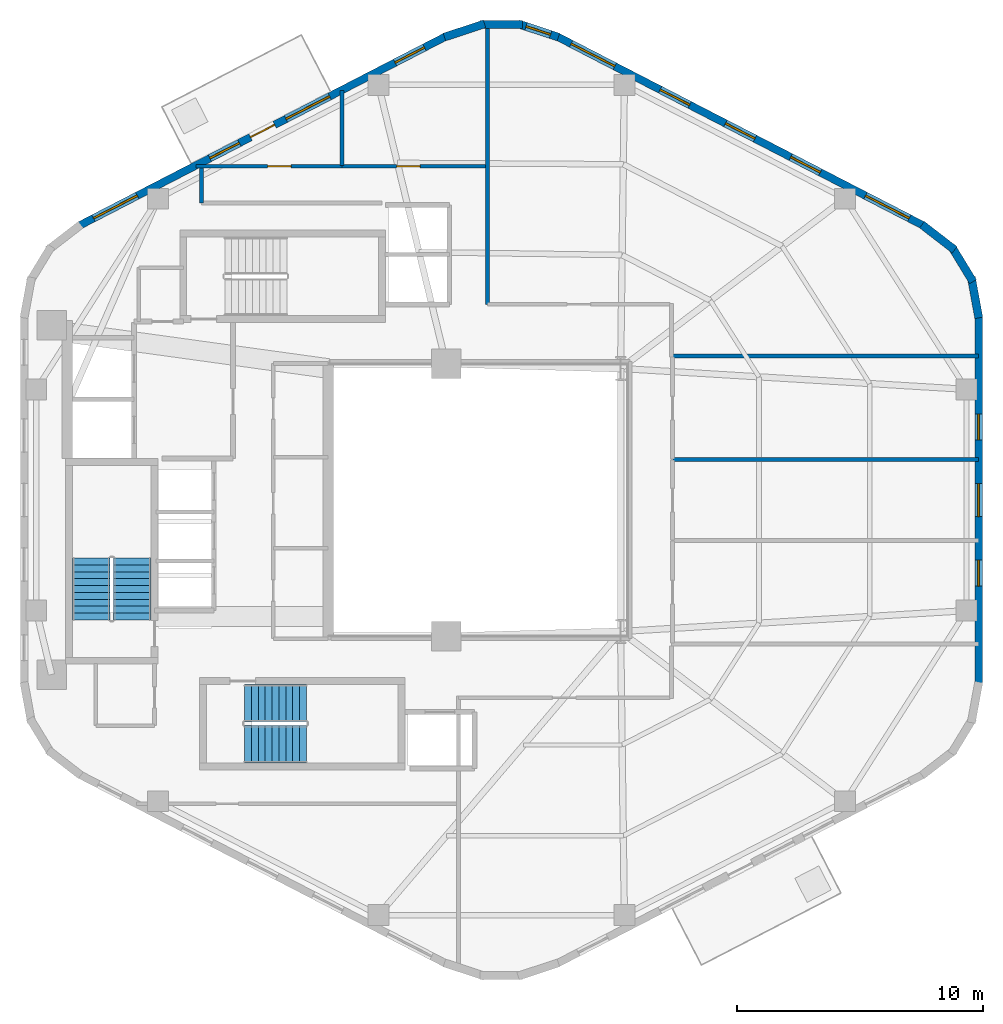
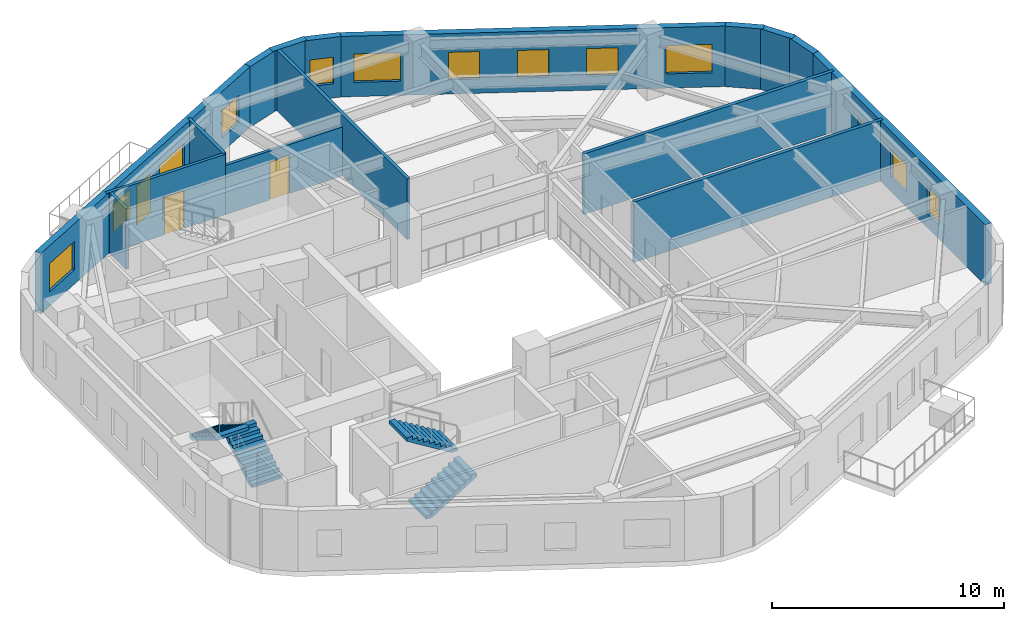
# One storey, part 5 of 8: 16 walls, 13 windows, 4 stair flights, 3 doors, 16 openings, 2 elements without a shape of their own.
"""IFC4 building model written with IfcOpenShell, lengths in metres."""

from ifc_helpers import new_model, si_unit, direction, frame, frame_2d, origin, place, context, subcontext, project, spatial, polyline, rectangle, outline, extrude, material, layer, layer_set, type_object, element, fill, aggregate, save


model = new_model("IFC4")

# Units and contexts
model_context = context("Model", 3, precision=1e-05, world=origin(), true_north=direction((0.0, 1.0)))
body_context = subcontext(model_context, "Body", "Model", "MODEL_VIEW")
ifc_project = project(units=[si_unit("LENGTHUNIT", "METRE"), si_unit("AREAUNIT", "SQUARE_METRE"), si_unit("VOLUMEUNIT", "CUBIC_METRE"), si_unit("PLANEANGLEUNIT", "RADIAN"), si_unit("MASSUNIT", "GRAM", prefix="KILO"), si_unit("THERMODYNAMICTEMPERATUREUNIT", "KELVIN"), si_unit("POWERUNIT", "WATT")], contexts=[model_context])

# Site, building, storey
site_placement = place(None, origin())
site = spatial("IfcSite", under=ifc_project, at=site_placement, CompositionType="ELEMENT")
building_placement = place(site_placement, origin())
building = spatial("IfcBuilding", under=site, at=building_placement, Name="Skarre Station Tower", CompositionType="ELEMENT")
storey_placement = place(building_placement, frame((0.0, 0.0, 203.35009765625)))
storey = spatial("IfcBuildingStorey", under=building, at=storey_placement, Name="L55", CompositionType="ELEMENT", Elevation=203.35009765625)

# Wall, opening, door
ifc_material_1 = material(Name="Acoustic Steel-Stud Gypsum Partition", Category="steel")
ifc_layer_1 = layer(ifc_material_1, 0.14990234375, Name="Acoustic Steel-Stud Gypsum Partition")
ifc_layer_set_1 = layer_set([ifc_layer_1], Name="Acoustic Steel-Stud Gypsum Partition")
wall_type_1 = type_object("IfcWallType", Name="Fire-Rated Corridor Acoustic Partition 150", PredefinedType="PARTITIONING", material=ifc_layer_set_1)
wall_1_placement = place(storey_placement, frame((28.115966796875, 37.580078125, 0.0), z_axis=(0.0, 0.0, 1.0), x_axis=(-1.0, 0.0, 0.0)))
wall_1 = element("IfcWall", 1, at=wall_1_placement, inside=storey, type_object=wall_type_1, Name="L55 Interior Partition WL-PT-L55-NWW1-CW", PredefinedType="PARTITIONING", context=body_context, shape_type="SweptSolid", body=[
    extrude(rectangle(XDim=5.94091796875, YDim=0.14990234375, at=frame_2d((2.970458984375, 0.0))), origin(), (0.0, 0.0, 1.0), 3.18994140625),
])
opening_1_placement = place(wall_1_placement, frame((2.070068359375, 0.0, 0.0)))
opening_1 = element("IfcOpeningElement", 2, at=opening_1_placement, cuts=wall_1, Name="Opening DR-FD60", PredefinedType="OPENING", context=body_context, shape_type="SweptSolid", body=[
    extrude(rectangle(XDim=0.9599609375, YDim=2.0, at=frame_2d((0.47998046875, 1.0))), frame((0.0, 0.0849609375, 0.0), z_axis=(0.0, -1.0, 0.0), x_axis=(1.0, 0.0, 0.0)), (0.0, 0.0, 1.0), 0.169921875),
])
ifc_material_2 = material(Name="Nordic White-Oak Veneer Solid-Core Fire Leaf", Category="wood")
door_type_1 = type_object("IfcDoorType", Name="Corridor Suite Entry Fire Door FD60 960x2150", OperationType="SINGLE_SWING_LEFT", PredefinedType="DOOR", material=ifc_material_2)
door_1_placement = place(opening_1_placement, origin())
door_1 = element("IfcDoor", 3, at=door_1_placement, inside=storey, type_object=door_type_1, Name="L55 NWW1 Entry Door", OperationType="SINGLE_SWING_LEFT", OverallHeight=2.0, OverallWidth=0.9599609375, PredefinedType="DOOR", context=body_context, shape_type="SweptSolid", body=[
    extrude(rectangle(XDim=0.9599609375, YDim=2.0, at=frame_2d((0.47998046875, 1.0))), frame((0.0, 0.02490234375, 0.0), z_axis=(0.0, -1.0, 0.0), x_axis=(1.0, 0.0, 0.0)), (0.0, 0.0, 1.0), 0.050048828125),
])
fill(opening_1, door_1)

wall_2_placement = place(storey_placement, frame((33.9619140625, 37.580078125, 0.0), z_axis=(0.0, 0.0, 1.0), x_axis=(-1.0, 0.0, 0.0)))
wall_2 = element("IfcWall", 4, at=wall_2_placement, inside=storey, type_object=wall_type_1, Name="L55 Interior Partition WL-PT-L55-NWW2-CW", PredefinedType="PARTITIONING", context=body_context, shape_type="SweptSolid", body=[
    extrude(rectangle(XDim=5.8359375, YDim=0.14990234375, at=frame_2d((2.91796875, 0.0))), origin(), (0.0, 0.0, 1.0), 2.581787109375),
])
opening_2_placement = place(wall_2_placement, frame((2.6630859375, 0.0, 0.0)))
opening_2 = element("IfcOpeningElement", 5, at=opening_2_placement, cuts=wall_2, Name="Opening DR-FD60", PredefinedType="OPENING", context=body_context, shape_type="SweptSolid", body=[
    extrude(rectangle(XDim=0.9599609375, YDim=2.0, at=frame_2d((0.47998046875, 1.0))), frame((0.0, 0.0849609375, 0.0), z_axis=(0.0, -1.0, 0.0), x_axis=(1.0, 0.0, 0.0)), (0.0, 0.0, 1.0), 0.169921875),
])
door_2_placement = place(opening_2_placement, origin())
door_2 = element("IfcDoor", 6, at=door_2_placement, inside=storey, type_object=door_type_1, Name="L55 NWW2 Entry Door", OperationType="SINGLE_SWING_LEFT", OverallHeight=2.0, OverallWidth=0.9599609375, PredefinedType="DOOR", context=body_context, shape_type="SweptSolid", body=[
    extrude(rectangle(XDim=0.9599609375, YDim=2.0, at=frame_2d((0.47998046875, 1.0))), frame((0.0, 0.02490234375, 0.0), z_axis=(0.0, -1.0, 0.0), x_axis=(1.0, 0.0, 0.0)), (0.0, 0.0, 1.0), 0.050048828125),
])
fill(opening_2, door_2)

# Walls
wall_3_placement = place(storey_placement, frame((22.39990234375, 36.080078125, 0.0), z_axis=(0.0, 0.0, 1.0), x_axis=(0.0, 1.0, 0.0)))
element("IfcWall", 7, at=wall_3_placement, inside=storey, type_object=wall_type_1, Name="L55 Interior Partition WL-PT-L55-CSEAL-2", PredefinedType="PARTITIONING", context=body_context, shape_type="SweptSolid", body=[
    extrude(rectangle(XDim=1.429931640625, YDim=0.14990234375, at=frame_2d((0.71484375, 0.0))), origin(), (0.0, 0.0, 1.0), 3.18994140625),
])
ifc_material_3 = material(Name="Precast concrete C45/55", Category="concrete")
ifc_layer_2 = layer(ifc_material_3, 0.330078125, Name="Precast concrete C45/55")
ifc_layer_set_2 = layer_set([ifc_layer_2], Name="Precast concrete C45/55")
wall_type_2 = type_object("IfcWallType", Name="Nordic Rounded Corner Precast Wall 330", PredefinedType="STANDARD", material=ifc_layer_set_2)
wall_4_placement = place(storey_placement, frame((51.7109375, 35.199951171875, 0.0), z_axis=(0.0, 0.0, 1.0), x_axis=(0.791464279355, -0.611215423976, 0.0)))
element("IfcWall", 8, at=wall_4_placement, inside=storey, type_object=wall_type_2, Name="L55 Rounded Corner Precast Wall F0-1", PredefinedType="STANDARD", context=body_context, shape_type="SweptSolid", body=[
    extrude(rectangle(XDim=1.6767578125, YDim=0.330078125, at=frame_2d((0.83837890625, 0.0))), origin(), (0.0, 0.0, 1.0), 3.18994140625),
])
wall_5_placement = place(storey_placement, frame((52.912109375, 34.31494140625, 0.0), z_axis=(0.0, 0.0, 1.0), x_axis=(0.520219286058, -0.85403272444, 0.0)))
element("IfcWall", 9, at=wall_5_placement, inside=storey, type_object=wall_type_2, Name="L55 Rounded Corner Precast Wall F0-2", PredefinedType="STANDARD", context=body_context, shape_type="SweptSolid", body=[
    extrude(rectangle(XDim=1.677734375, YDim=0.330078125, at=frame_2d((0.8388671875, 0.0))), origin(), (0.0, 0.0, 1.0), 3.18994140625),
])
wall_6_placement = place(storey_placement, frame((53.718017578125, 33.056884765625, 0.0), z_axis=(0.0, 0.0, 1.0), x_axis=(0.180717642671, -0.983535019014, 0.0)))
element("IfcWall", 10, at=wall_6_placement, inside=storey, type_object=wall_type_2, Name="L55 Rounded Corner Precast Wall F0-3", PredefinedType="STANDARD", context=body_context, shape_type="SweptSolid", body=[
    extrude(rectangle(XDim=1.676513671875, YDim=0.330078125, at=frame_2d((0.83837890625, 0.0))), origin(), (0.0, 0.0, 1.0), 3.18994140625),
])
wall_7_placement = place(storey_placement, frame((32.281005859375, 42.83203125, 0.0), z_axis=(0.0, 0.0, 1.0), x_axis=(0.949937416267, 0.312440242569, 0.0)))
element("IfcWall", 11, at=wall_7_placement, inside=storey, type_object=wall_type_2, Name="L55 Rounded Corner Precast Wall F1-1", PredefinedType="STANDARD", context=body_context, shape_type="SweptSolid", body=[
    extrude(rectangle(XDim=1.72216796875, YDim=0.330078125, at=frame_2d((0.861083984375, 0.0))), origin(), (0.0, 0.0, 1.0), 3.18994140625),
])
wall_8_placement = place(storey_placement, frame((33.739013671875, 43.341064453125, 0.0), z_axis=(0.0, 0.0, 1.0), x_axis=(1.0, 0.0, 0.0)))
element("IfcWall", 12, at=wall_8_placement, inside=storey, type_object=wall_type_2, Name="L55 Rounded Corner Precast Wall F1-2", PredefinedType="STANDARD", context=body_context, shape_type="SweptSolid", body=[
    extrude(rectangle(XDim=1.721923828125, YDim=0.330078125, at=frame_2d((0.86083984375, 0.0))), origin(), (0.0, 0.0, 1.0), 3.18994140625),
])

# Wall, opening, window
wall_9_placement = place(storey_placement, frame((35.282958984375, 43.3701171875, 0.0), z_axis=(0.0, 0.0, 1.0), x_axis=(0.949937416267, -0.312440242569, 0.0)))
wall_9 = element("IfcWall", 13, at=wall_9_placement, inside=storey, type_object=wall_type_2, Name="L55 Rounded Corner Precast Wall F1-3", PredefinedType="STANDARD", context=body_context, shape_type="SweptSolid", body=[
    extrude(rectangle(XDim=1.72216796875, YDim=0.330078125, at=frame_2d((0.861083984375, 0.0))), origin(), (0.0, 0.0, 1.0), 3.18994140625),
])
opening_3_placement = place(wall_9_placement, frame((0.3359375, 0.0, 0.75)))
opening_3 = element("IfcOpeningElement", 14, at=opening_3_placement, cuts=wall_9, Name="Opening WN-SLT", PredefinedType="OPENING", context=body_context, shape_type="SweptSolid", body=[
    extrude(rectangle(XDim=1.050048828125, YDim=1.39990234375, at=frame_2d((0.52490234375, 0.699951171875))), frame((0.0, 0.175048828125, 0.0), z_axis=(0.0, -1.0, 0.0), x_axis=(1.0, 0.0, 0.0)), (0.0, 0.0, 1.0), 0.35009765625),
])
ifc_material_4 = material(Name="Low-Iron Triple Glazing with Bronze Anodized Frame", Category="glass")
window_type_1 = type_object("IfcWindowType", Name="Nordic Corner Slot Window 1050x1400", PartitioningType="SINGLE_PANEL", PredefinedType="WINDOW", material=ifc_material_4)
window_1_placement = place(opening_3_placement, origin())
window_1 = element("IfcWindow", 15, at=window_1_placement, inside=storey, type_object=window_type_1, Name="L55 Apex Corner Slot Window F1-3", OverallHeight=1.39990234375, OverallWidth=1.050048828125, PartitioningType="SINGLE_PANEL", PredefinedType="WINDOW", context=body_context, shape_type="SweptSolid", body=[
    extrude(rectangle(XDim=1.050048828125, YDim=1.39990234375, at=frame_2d((0.52490234375, 0.699951171875))), frame((0.0, 0.030029296875, 0.0), z_axis=(0.0, -1.0, 0.0), x_axis=(1.0, 0.0, 0.0)), (0.0, 0.0, 1.0), 0.06005859375),
])
fill(opening_3, window_1)

# Wall, openings, windows
ifc_layer_3 = layer(ifc_material_3, 0.31005859375, Name="Precast concrete C45/55")
ifc_layer_set_3 = layer_set([ifc_layer_3], Name="Precast concrete C45/55")
wall_type_3 = type_object("IfcWallType", Name="Nordic Upper-Zone Precast Facet Wall 310", PredefinedType="STANDARD", material=ifc_layer_set_3)
wall_10_placement = place(storey_placement, frame((36.837890625, 42.87109375, 0.0), z_axis=(0.0, 0.0, 1.0), x_axis=(0.888626188278, -0.458632202867, 0.0)))
wall_10 = element("IfcWall", 16, at=wall_10_placement, inside=storey, type_object=wall_type_3, Name="L55 Facet 0 Nordic Precast Masonry Wall", PredefinedType="STANDARD", context=body_context, shape_type="SweptSolid", body=[
    extrude(rectangle(XDim=16.828369140625, YDim=0.31005859375, at=frame_2d((8.4140625, 0.0))), origin(), (0.0, 0.0, 1.0), 3.18994140625),
])
opening_4_placement = place(wall_10_placement, frame((0.675048828125, 0.0, 0.75)))
opening_4 = element("IfcOpeningElement", 17, at=opening_4_placement, cuts=wall_10, Name="Opening WN-Z3A", PredefinedType="OPENING", context=body_context, shape_type="SweptSolid", body=[
    extrude(rectangle(XDim=2.0, YDim=1.5, at=frame_2d((1.0, 0.75))), frame((0.0, 0.1650390625, 0.0), z_axis=(0.0, -1.0, 0.0), x_axis=(1.0, 0.0, 0.0)), (0.0, 0.0, 1.0), 0.330078125),
])
opening_5_placement = place(wall_10_placement, frame((4.75, 0.0, 0.75)))
opening_5 = element("IfcOpeningElement", 18, at=opening_5_placement, cuts=wall_10, Name="Opening WN-Z3B", PredefinedType="OPENING", context=body_context, shape_type="SweptSolid", body=[
    extrude(rectangle(XDim=1.35009765625, YDim=1.449951171875, at=frame_2d((0.675048828125, 0.72509765625))), frame((0.0, 0.1650390625, 0.0), z_axis=(0.0, -1.0, 0.0), x_axis=(1.0, 0.0, 0.0)), (0.0, 0.0, 1.0), 0.330078125),
])
opening_6_placement = place(wall_10_placement, frame((7.739013671875, 0.0, 0.75)))
opening_6 = element("IfcOpeningElement", 19, at=opening_6_placement, cuts=wall_10, Name="Opening WN-Z3B", PredefinedType="OPENING", context=body_context, shape_type="SweptSolid", body=[
    extrude(rectangle(XDim=1.35009765625, YDim=1.449951171875, at=frame_2d((0.675048828125, 0.72509765625))), frame((0.0, 0.1650390625, 0.0), z_axis=(0.0, -1.0, 0.0), x_axis=(1.0, 0.0, 0.0)), (0.0, 0.0, 1.0), 0.330078125),
])
opening_7_placement = place(wall_10_placement, frame((10.72802734375, 0.0, 0.75)))
opening_7 = element("IfcOpeningElement", 20, at=opening_7_placement, cuts=wall_10, Name="Opening WN-Z3B", PredefinedType="OPENING", context=body_context, shape_type="SweptSolid", body=[
    extrude(rectangle(XDim=1.35009765625, YDim=1.449951171875, at=frame_2d((0.675048828125, 0.72509765625))), frame((0.0, 0.1650390625, 0.0), z_axis=(0.0, -1.0, 0.0), x_axis=(1.0, 0.0, 0.0)), (0.0, 0.0, 1.0), 0.330078125),
])
opening_8_placement = place(wall_10_placement, frame((14.153076171875, 0.0, 0.75)))
opening_8 = element("IfcOpeningElement", 21, at=opening_8_placement, cuts=wall_10, Name="Opening WN-Z3A", PredefinedType="OPENING", context=body_context, shape_type="SweptSolid", body=[
    extrude(rectangle(XDim=2.0, YDim=1.5, at=frame_2d((1.0, 0.75))), frame((0.0, 0.1650390625, 0.0), z_axis=(0.0, -1.0, 0.0), x_axis=(1.0, 0.0, 0.0)), (0.0, 0.0, 1.0), 0.330078125),
])
window_type_2 = type_object("IfcWindowType", Name="Nordic Hospitality Narrow Window 1350x1450", PartitioningType="SINGLE_PANEL", PredefinedType="WINDOW", material=ifc_material_4)
window_2_placement = place(opening_5_placement, origin())
window_2 = element("IfcWindow", 22, at=window_2_placement, inside=storey, type_object=window_type_2, Name="L55 Facade Window WL-FAC-L55-F0-2", OverallHeight=1.449951171875, OverallWidth=1.35009765625, PartitioningType="SINGLE_PANEL", PredefinedType="WINDOW", context=body_context, shape_type="SweptSolid", body=[
    extrude(rectangle(XDim=1.35009765625, YDim=1.449951171875, at=frame_2d((0.675048828125, 0.72509765625))), frame((0.0, 0.030029296875, 0.0), z_axis=(0.0, -1.0, 0.0), x_axis=(1.0, 0.0, 0.0)), (0.0, 0.0, 1.0), 0.06005859375),
])
fill(opening_5, window_2)
window_3_placement = place(opening_6_placement, origin())
window_3 = element("IfcWindow", 23, at=window_3_placement, inside=storey, type_object=window_type_2, Name="L55 Facade Window WL-FAC-L55-F0-3", OverallHeight=1.449951171875, OverallWidth=1.35009765625, PartitioningType="SINGLE_PANEL", PredefinedType="WINDOW", context=body_context, shape_type="SweptSolid", body=[
    extrude(rectangle(XDim=1.35009765625, YDim=1.449951171875, at=frame_2d((0.675048828125, 0.72509765625))), frame((0.0, 0.030029296875, 0.0), z_axis=(0.0, -1.0, 0.0), x_axis=(1.0, 0.0, 0.0)), (0.0, 0.0, 1.0), 0.06005859375),
])
fill(opening_6, window_3)
window_4_placement = place(opening_7_placement, origin())
window_4 = element("IfcWindow", 24, at=window_4_placement, inside=storey, type_object=window_type_2, Name="L55 Facade Window WL-FAC-L55-F0-4", OverallHeight=1.449951171875, OverallWidth=1.35009765625, PartitioningType="SINGLE_PANEL", PredefinedType="WINDOW", context=body_context, shape_type="SweptSolid", body=[
    extrude(rectangle(XDim=1.35009765625, YDim=1.449951171875, at=frame_2d((0.675048828125, 0.72509765625))), frame((0.0, 0.030029296875, 0.0), z_axis=(0.0, -1.0, 0.0), x_axis=(1.0, 0.0, 0.0)), (0.0, 0.0, 1.0), 0.06005859375),
])
fill(opening_7, window_4)
window_type_3 = type_object("IfcWindowType", Name="Nordic Hospitality Window 2000x1500", PartitioningType="SINGLE_PANEL", PredefinedType="WINDOW", material=ifc_material_4)
window_5_placement = place(opening_4_placement, origin())
window_5 = element("IfcWindow", 25, at=window_5_placement, inside=storey, type_object=window_type_3, Name="L55 Facade Window WL-FAC-L55-F0-1", OverallHeight=1.5, OverallWidth=2.0, PartitioningType="SINGLE_PANEL", PredefinedType="WINDOW", context=body_context, shape_type="SweptSolid", body=[
    extrude(rectangle(XDim=2.0, YDim=1.5, at=frame_2d((1.0, 0.75))), frame((0.0, 0.030029296875, 0.0), z_axis=(0.0, -1.0, 0.0), x_axis=(1.0, 0.0, 0.0)), (0.0, 0.0, 1.0), 0.06005859375),
])
fill(opening_4, window_5)
window_6_placement = place(opening_8_placement, origin())
window_6 = element("IfcWindow", 26, at=window_6_placement, inside=storey, type_object=window_type_3, Name="L55 Facade Window WL-FAC-L55-F0-5", OverallHeight=1.5, OverallWidth=2.0, PartitioningType="SINGLE_PANEL", PredefinedType="WINDOW", context=body_context, shape_type="SweptSolid", body=[
    extrude(rectangle(XDim=2.0, YDim=1.5, at=frame_2d((1.0, 0.75))), frame((0.0, 0.030029296875, 0.0), z_axis=(0.0, -1.0, 0.0), x_axis=(1.0, 0.0, 0.0)), (0.0, 0.0, 1.0), 0.06005859375),
])
fill(opening_8, window_6)

# Wall, openings, windows, door
wall_11_placement = place(storey_placement, frame((17.407958984375, 35.153076171875, 0.0), z_axis=(0.0, 0.0, 1.0), x_axis=(0.888626188278, 0.458632202867, 0.0)))
wall_11 = element("IfcWall", 27, at=wall_11_placement, inside=storey, type_object=wall_type_3, Name="L55 Facet 1 Nordic Precast Masonry Wall", PredefinedType="STANDARD", context=body_context, shape_type="SweptSolid", body=[
    extrude(rectangle(XDim=16.828369140625, YDim=0.31005859375, at=frame_2d((8.4140625, 0.0))), origin(), (0.0, 0.0, 1.0), 3.18994140625),
])
opening_9_placement = place(wall_11_placement, frame((7.864013671875, 0.0, 0.0)))
opening_9 = element("IfcOpeningElement", 28, at=opening_9_placement, cuts=wall_11, Name="Opening DR-BAL110", PredefinedType="OPENING", context=body_context, shape_type="SweptSolid", body=[
    extrude(rectangle(XDim=1.10009765625, YDim=2.0400390625, at=frame_2d((0.550048828125, 1.02001953125))), frame((0.0, 0.1650390625, 0.0), z_axis=(0.0, -1.0, 0.0), x_axis=(1.0, 0.0, 0.0)), (0.0, 0.0, 1.0), 0.330078125),
])
opening_10_placement = place(wall_11_placement, frame((0.675048828125, 0.0, 0.75)))
opening_10 = element("IfcOpeningElement", 29, at=opening_10_placement, cuts=wall_11, Name="Opening WN-Z3A", PredefinedType="OPENING", context=body_context, shape_type="SweptSolid", body=[
    extrude(rectangle(XDim=2.0, YDim=1.5, at=frame_2d((1.0, 0.75))), frame((0.0, 0.1650390625, 0.0), z_axis=(0.0, -1.0, 0.0), x_axis=(1.0, 0.0, 0.0)), (0.0, 0.0, 1.0), 0.330078125),
])
opening_11_placement = place(wall_11_placement, frame((6.0, 0.0, 0.75)))
opening_11 = element("IfcOpeningElement", 30, at=opening_11_placement, cuts=wall_11, Name="Opening WN-Z3B", PredefinedType="OPENING", context=body_context, shape_type="SweptSolid", body=[
    extrude(rectangle(XDim=1.35009765625, YDim=1.449951171875, at=frame_2d((0.675048828125, 0.72509765625))), frame((0.0, 0.1650390625, 0.0), z_axis=(0.0, -1.0, 0.0), x_axis=(1.0, 0.0, 0.0)), (0.0, 0.0, 1.0), 0.330078125),
])
opening_12_placement = place(wall_11_placement, frame((9.485107421875, 0.0, 0.75)))
opening_12 = element("IfcOpeningElement", 31, at=opening_12_placement, cuts=wall_11, Name="Opening WN-Z3A", PredefinedType="OPENING", context=body_context, shape_type="SweptSolid", body=[
    extrude(rectangle(XDim=2.0, YDim=1.5, at=frame_2d((1.0, 0.75))), frame((0.0, 0.1650390625, 0.0), z_axis=(0.0, -1.0, 0.0), x_axis=(1.0, 0.0, 0.0)), (0.0, 0.0, 1.0), 0.330078125),
])
opening_13_placement = place(wall_11_placement, frame((14.47802734375, 0.0, 0.75)))
opening_13 = element("IfcOpeningElement", 32, at=opening_13_placement, cuts=wall_11, Name="Opening WN-Z3B", PredefinedType="OPENING", context=body_context, shape_type="SweptSolid", body=[
    extrude(rectangle(XDim=1.35009765625, YDim=1.449951171875, at=frame_2d((0.675048828125, 0.72509765625))), frame((0.0, 0.1650390625, 0.0), z_axis=(0.0, -1.0, 0.0), x_axis=(1.0, 0.0, 0.0)), (0.0, 0.0, 1.0), 0.330078125),
])
window_7_placement = place(opening_11_placement, origin())
window_7 = element("IfcWindow", 33, at=window_7_placement, inside=storey, type_object=window_type_2, Name="L55 Facade Window WL-FAC-L55-F1-2", OverallHeight=1.449951171875, OverallWidth=1.35009765625, PartitioningType="SINGLE_PANEL", PredefinedType="WINDOW", context=body_context, shape_type="SweptSolid", body=[
    extrude(rectangle(XDim=1.35009765625, YDim=1.449951171875, at=frame_2d((0.675048828125, 0.72509765625))), frame((0.0, 0.030029296875, 0.0), z_axis=(0.0, -1.0, 0.0), x_axis=(1.0, 0.0, 0.0)), (0.0, 0.0, 1.0), 0.06005859375),
])
fill(opening_11, window_7)
window_8_placement = place(opening_13_placement, origin())
window_8 = element("IfcWindow", 34, at=window_8_placement, inside=storey, type_object=window_type_2, Name="L55 Facade Window WL-FAC-L55-F1-4", OverallHeight=1.449951171875, OverallWidth=1.35009765625, PartitioningType="SINGLE_PANEL", PredefinedType="WINDOW", context=body_context, shape_type="SweptSolid", body=[
    extrude(rectangle(XDim=1.35009765625, YDim=1.449951171875, at=frame_2d((0.675048828125, 0.72509765625))), frame((0.0, 0.030029296875, 0.0), z_axis=(0.0, -1.0, 0.0), x_axis=(1.0, 0.0, 0.0)), (0.0, 0.0, 1.0), 0.06005859375),
])
fill(opening_13, window_8)
window_9_placement = place(opening_10_placement, origin())
window_9 = element("IfcWindow", 35, at=window_9_placement, inside=storey, type_object=window_type_3, Name="L55 Facade Window WL-FAC-L55-F1-1", OverallHeight=1.5, OverallWidth=2.0, PartitioningType="SINGLE_PANEL", PredefinedType="WINDOW", context=body_context, shape_type="SweptSolid", body=[
    extrude(rectangle(XDim=2.0, YDim=1.5, at=frame_2d((1.0, 0.75))), frame((0.0, 0.030029296875, 0.0), z_axis=(0.0, -1.0, 0.0), x_axis=(1.0, 0.0, 0.0)), (0.0, 0.0, 1.0), 0.06005859375),
])
fill(opening_10, window_9)
window_10_placement = place(opening_12_placement, origin())
window_10 = element("IfcWindow", 36, at=window_10_placement, inside=storey, type_object=window_type_3, Name="L55 Facade Window WL-FAC-L55-F1-3", OverallHeight=1.5, OverallWidth=2.0, PartitioningType="SINGLE_PANEL", PredefinedType="WINDOW", context=body_context, shape_type="SweptSolid", body=[
    extrude(rectangle(XDim=2.0, YDim=1.5, at=frame_2d((1.0, 0.75))), frame((0.0, 0.030029296875, 0.0), z_axis=(0.0, -1.0, 0.0), x_axis=(1.0, 0.0, 0.0)), (0.0, 0.0, 1.0), 0.06005859375),
])
fill(opening_12, window_10)
ifc_material_5 = material(Name="Thermally Broken Aluminium & Triple Glazing", Category="aluminium")
door_type_2 = type_object("IfcDoorType", Name="Terrace & Tree-Balcony Glazed Door 1100x2200", OperationType="SINGLE_SWING_LEFT", PredefinedType="DOOR", material=ifc_material_5)
door_3_placement = place(opening_9_placement, origin())
door_3 = element("IfcDoor", 37, at=door_3_placement, inside=storey, type_object=door_type_2, Name="L55 TB-L55-F1 Tree-Balcony Glazed Door", OperationType="SINGLE_SWING_LEFT", OverallHeight=2.0400390625, OverallWidth=1.10009765625, PredefinedType="DOOR", context=body_context, shape_type="SweptSolid", body=[
    extrude(rectangle(XDim=1.10009765625, YDim=2.0400390625, at=frame_2d((0.550048828125, 1.02001953125))), frame((0.0, 0.02490234375, 0.0), z_axis=(0.0, -1.0, 0.0), x_axis=(1.0, 0.0, 0.0)), (0.0, 0.0, 1.0), 0.050048828125),
])
fill(opening_9, door_3)

# Wall, openings, windows
wall_12_placement = place(storey_placement, frame((54.01708984375, 31.501953125, 0.0), z_axis=(0.0, 0.0, 1.0), x_axis=(0.0, -1.0, 0.0)))
wall_12 = element("IfcWall", 38, at=wall_12_placement, inside=storey, type_object=wall_type_3, Name="L55 Facet 5 Nordic Precast Masonry Wall", PredefinedType="STANDARD", context=body_context, shape_type="SweptSolid", body=[
    extrude(rectangle(XDim=15.00390625, YDim=0.31005859375, at=frame_2d((7.501953125, 0.0))), origin(), (0.0, 0.0, 1.0), 3.18994140625),
])
opening_14_placement = place(wall_12_placement, frame((4.007080078125, 0.0, 0.75)))
opening_14 = element("IfcOpeningElement", 39, at=opening_14_placement, cuts=wall_12, Name="Opening WN-SLT", PredefinedType="OPENING", context=body_context, shape_type="SweptSolid", body=[
    extrude(rectangle(XDim=1.050048828125, YDim=1.39990234375, at=frame_2d((0.52490234375, 0.699951171875))), frame((0.0, 0.1650390625, 0.0), z_axis=(0.0, -1.0, 0.0), x_axis=(1.0, 0.0, 0.0)), (0.0, 0.0, 1.0), 0.330078125),
])
opening_15_placement = place(wall_12_placement, frame((6.8330078125, 0.0, 0.75)))
opening_15 = element("IfcOpeningElement", 40, at=opening_15_placement, cuts=wall_12, Name="Opening WN-Z3B", PredefinedType="OPENING", context=body_context, shape_type="SweptSolid", body=[
    extrude(rectangle(XDim=1.35009765625, YDim=1.449951171875, at=frame_2d((0.675048828125, 0.72509765625))), frame((0.0, 0.1650390625, 0.0), z_axis=(0.0, -1.0, 0.0), x_axis=(1.0, 0.0, 0.0)), (0.0, 0.0, 1.0), 0.330078125),
])
opening_16_placement = place(wall_12_placement, frame((9.952880859375, 0.0, 0.75)))
opening_16 = element("IfcOpeningElement", 41, at=opening_16_placement, cuts=wall_12, Name="Opening WN-SLT", PredefinedType="OPENING", context=body_context, shape_type="SweptSolid", body=[
    extrude(rectangle(XDim=1.050048828125, YDim=1.39990234375, at=frame_2d((0.52490234375, 0.699951171875))), frame((0.0, 0.1650390625, 0.0), z_axis=(0.0, -1.0, 0.0), x_axis=(1.0, 0.0, 0.0)), (0.0, 0.0, 1.0), 0.330078125),
])
window_11_placement = place(opening_14_placement, origin())
window_11 = element("IfcWindow", 42, at=window_11_placement, inside=storey, type_object=window_type_1, Name="L55 Facade Window WL-FAC-L55-F5-1", OverallHeight=1.39990234375, OverallWidth=1.050048828125, PartitioningType="SINGLE_PANEL", PredefinedType="WINDOW", context=body_context, shape_type="SweptSolid", body=[
    extrude(rectangle(XDim=1.050048828125, YDim=1.39990234375, at=frame_2d((0.52490234375, 0.699951171875))), frame((0.0, 0.030029296875, 0.0), z_axis=(0.0, -1.0, 0.0), x_axis=(1.0, 0.0, 0.0)), (0.0, 0.0, 1.0), 0.06005859375),
])
fill(opening_14, window_11)
window_12_placement = place(opening_16_placement, origin())
window_12 = element("IfcWindow", 43, at=window_12_placement, inside=storey, type_object=window_type_1, Name="L55 Facade Window WL-FAC-L55-F5-3", OverallHeight=1.39990234375, OverallWidth=1.050048828125, PartitioningType="SINGLE_PANEL", PredefinedType="WINDOW", context=body_context, shape_type="SweptSolid", body=[
    extrude(rectangle(XDim=1.050048828125, YDim=1.39990234375, at=frame_2d((0.52490234375, 0.699951171875))), frame((0.0, 0.030029296875, 0.0), z_axis=(0.0, -1.0, 0.0), x_axis=(1.0, 0.0, 0.0)), (0.0, 0.0, 1.0), 0.06005859375),
])
fill(opening_16, window_12)
window_13_placement = place(opening_15_placement, origin())
window_13 = element("IfcWindow", 44, at=window_13_placement, inside=storey, type_object=window_type_2, Name="L55 Facade Window WL-FAC-L55-F5-2", OverallHeight=1.449951171875, OverallWidth=1.35009765625, PartitioningType="SINGLE_PANEL", PredefinedType="WINDOW", context=body_context, shape_type="SweptSolid", body=[
    extrude(rectangle(XDim=1.35009765625, YDim=1.449951171875, at=frame_2d((0.675048828125, 0.72509765625))), frame((0.0, 0.030029296875, 0.0), z_axis=(0.0, -1.0, 0.0), x_axis=(1.0, 0.0, 0.0)), (0.0, 0.0, 1.0), 0.06005859375),
])
fill(opening_15, window_13)

# Walls
ifc_layer_4 = layer(ifc_material_1, 0.1650390625, Name="Acoustic Steel-Stud Gypsum Partition")
ifc_layer_set_4 = layer_set([ifc_layer_4], Name="Acoustic Steel-Stud Gypsum Partition")
wall_type_4 = type_object("IfcWallType", Name="Suite Demising Acoustic Partition 165", PredefinedType="PARTITIONING", material=ifc_layer_set_4)
wall_13_placement = place(storey_placement, frame((28.12109375, 37.610107421875, 0.0), z_axis=(0.0, 0.0, 1.0), x_axis=(0.0, 1.0, 0.0)))
element("IfcWall", 45, at=wall_13_placement, inside=storey, type_object=wall_type_4, Name="L55 Interior Partition WL-PT-L55-NWW-P1", PredefinedType="PARTITIONING", context=body_context, shape_type="SweptSolid", body=[
    extrude(rectangle(XDim=3.054931640625, YDim=0.1650390625, at=frame_2d((1.52734375, 0.0))), origin(), (0.0, 0.0, 1.0), 3.18994140625),
])
wall_14_placement = place(storey_placement, frame((34.0400390625, 31.9599609375, 0.0), z_axis=(0.0, 0.0, 1.0), x_axis=(0.0, 1.0, 0.0)))
element("IfcWall", 46, at=wall_14_placement, inside=storey, type_object=wall_type_4, Name="L55 Interior Partition WL-PT-L55-NW-WBND", PredefinedType="PARTITIONING", context=body_context, shape_type="SweptSolid", body=[
    extrude(rectangle(XDim=11.3759765625, YDim=0.1650390625, at=frame_2d((5.68798828125, 0.0))), origin(), (0.0, 0.0, 1.0), 3.18994140625),
])
wall_15_placement = place(storey_placement, frame((41.52001953125, 29.860107421875, 0.0), z_axis=(0.0, 0.0, 1.0), x_axis=(1.0, 0.0, 0.0)))
element("IfcWall", 47, at=wall_15_placement, inside=storey, type_object=wall_type_4, Name="L55 Interior Partition WL-PT-L55-EWB-N", PredefinedType="PARTITIONING", context=body_context, shape_type="SweptSolid", body=[
    extrude(rectangle(XDim=12.48193359375, YDim=0.1650390625, at=frame_2d((6.240966796875, 0.0))), origin(), (0.0, 0.0, 1.0), 3.18994140625),
])
wall_16_placement = place(storey_placement, frame((41.590087890625, 25.64111328125, 0.0), z_axis=(0.0, 0.0, 1.0), x_axis=(1.0, 0.0, 0.0)))
element("IfcWall", 48, at=wall_16_placement, inside=storey, type_object=wall_type_4, Name="L55 Interior Partition WL-PT-L55-EW-P2", PredefinedType="PARTITIONING", context=body_context, shape_type="SweptSolid", body=[
    extrude(rectangle(XDim=12.411865234375, YDim=0.1650390625, at=frame_2d((6.2060546875, 0.0))), origin(), (0.0, 0.0, 1.0), 3.18994140625),
])

# Stair, stair flights
ifc_material_6 = material(Name="Concrete C40/50", Category="concrete")
stair_type_1 = type_object("IfcStairType", Name="Reinforced Concrete Exit Stair ST-1", PredefinedType="HALF_TURN_STAIR", material=ifc_material_6)
stair_1_placement = place(storey_placement, origin())
stair_1 = element("IfcStair", 49, at=stair_1_placement, inside=storey, type_object=stair_type_1, Name="L55 Core Exit Stair ST-1", PredefinedType="HALF_TURN_STAIR")
stair_flight_type_1 = type_object("IfcStairFlightType", Name="Reinforced Concrete Stair Flight ST-1", PredefinedType="STRAIGHT", material=ifc_material_6)
stair_flight_1_placement = place(storey_placement, frame((19.590087890625, 19.1201171875, 0.0), z_axis=(0.0, 0.0, 1.0), x_axis=(0.0, 1.0, 0.0)))
stair_flight_1 = element("IfcStairFlight", 50, at=stair_flight_1_placement, type_object=stair_flight_type_1, Name="ST-1 flight 1", NumberOfRisers=10, NumberOfTreads=9, PredefinedType="STRAIGHT", RiserHeight=0.1725, TreadLength=0.28, context=body_context, shape_type="SweptSolid", body=[
    extrude(outline(polyline([(0.0, 0.0), (0.0, 0.172607421875), (0.280029296875, 0.172607421875), (0.280029296875, 0.344970703125), (0.56005859375, 0.344970703125), (0.56005859375, 0.517578125), (0.840087890625, 0.517578125), (0.840087890625, 0.68994140625), (1.1201171875, 0.68994140625), (1.1201171875, 0.862548828125), (1.39990234375, 0.862548828125), (1.39990234375, 1.034912109375), (1.679931640625, 1.034912109375), (1.679931640625, 1.20751953125), (1.9599609375, 1.20751953125), (1.9599609375, 1.3798828125), (2.239990234375, 1.3798828125), (2.239990234375, 1.552490234375), (2.52001953125, 1.552490234375), (2.52001953125, 1.72509765625), (2.52001953125, 1.37646484375), (0.285888671875, 0.0), (0.0, 0.0)])), frame((0.0, 0.760009765625, 0.0), z_axis=(0.0, -1.0, 0.0), x_axis=(1.0, 0.0, 0.0)), (0.0, 0.0, 1.0), 1.52001953125),
])
stair_flight_2_placement = place(storey_placement, frame((17.909912109375, 21.639892578125, 1.724853515625), z_axis=(0.0, 0.0, 1.0), x_axis=(0.0, -1.0, 0.0)))
stair_flight_2 = element("IfcStairFlight", 51, at=stair_flight_2_placement, type_object=stair_flight_type_1, Name="ST-1 flight 2", NumberOfRisers=10, NumberOfTreads=9, PredefinedType="STRAIGHT", RiserHeight=0.1725, TreadLength=0.28, context=body_context, shape_type="SweptSolid", body=[
    extrude(outline(polyline([(0.0, 0.0), (0.0, 0.172607421875), (0.280029296875, 0.172607421875), (0.280029296875, 0.344970703125), (0.56005859375, 0.344970703125), (0.56005859375, 0.517578125), (0.840087890625, 0.517578125), (0.840087890625, 0.68994140625), (1.1201171875, 0.68994140625), (1.1201171875, 0.862548828125), (1.39990234375, 0.862548828125), (1.39990234375, 1.034912109375), (1.679931640625, 1.034912109375), (1.679931640625, 1.20751953125), (1.9599609375, 1.20751953125), (1.9599609375, 1.3798828125), (2.239990234375, 1.3798828125), (2.239990234375, 1.552490234375), (2.52001953125, 1.552490234375), (2.52001953125, 1.72509765625), (2.52001953125, 1.37646484375), (0.285888671875, 0.0), (0.0, 0.0)])), frame((0.0, 0.760009765625, 0.0), z_axis=(0.0, -1.0, 0.0), x_axis=(1.0, 0.0, 0.0)), (0.0, 0.0, 1.0), 1.52001953125),
])
aggregate(stair_1, [stair_flight_1, stair_flight_2])

stair_type_2 = type_object("IfcStairType", Name="Reinforced Concrete Exit Stair ST-2", PredefinedType="HALF_TURN_STAIR", material=ifc_material_6)
stair_2_placement = place(storey_placement, origin())
stair_2 = element("IfcStair", 52, at=stair_2_placement, inside=storey, type_object=stair_type_2, Name="L55 Core Exit Stair ST-2", PredefinedType="HALF_TURN_STAIR")
stair_flight_type_2 = type_object("IfcStairFlightType", Name="Reinforced Concrete Stair Flight ST-2", PredefinedType="STRAIGHT", material=ifc_material_6)
stair_flight_3_placement = place(storey_placement, frame((24.14990234375, 14.06005859375, 0.0), z_axis=(0.0, 0.0, 1.0), x_axis=(1.0, 0.0, 0.0)))
stair_flight_3 = element("IfcStairFlight", 53, at=stair_flight_3_placement, type_object=stair_flight_type_2, Name="ST-2 flight 1", NumberOfRisers=10, NumberOfTreads=9, PredefinedType="STRAIGHT", RiserHeight=0.1725, TreadLength=0.28, context=body_context, shape_type="SweptSolid", body=[
    extrude(outline(polyline([(0.0, 0.0), (0.0, 0.172607421875), (0.280029296875, 0.172607421875), (0.280029296875, 0.344970703125), (0.56005859375, 0.344970703125), (0.56005859375, 0.517578125), (0.840087890625, 0.517578125), (0.840087890625, 0.68994140625), (1.1201171875, 0.68994140625), (1.1201171875, 0.862548828125), (1.39990234375, 0.862548828125), (1.39990234375, 1.034912109375), (1.679931640625, 1.034912109375), (1.679931640625, 1.20751953125), (1.9599609375, 1.20751953125), (1.9599609375, 1.3798828125), (2.239990234375, 1.3798828125), (2.239990234375, 1.552490234375), (2.52001953125, 1.552490234375), (2.52001953125, 1.72509765625), (2.52001953125, 1.37646484375), (0.285888671875, 0.0), (0.0, 0.0)])), frame((0.0, 0.760009765625, 0.0), z_axis=(0.0, -1.0, 0.0), x_axis=(1.0, 0.0, 0.0)), (0.0, 0.0, 1.0), 1.52001953125),
])
stair_flight_4_placement = place(storey_placement, frame((26.669921875, 15.739990234375, 1.724853515625), z_axis=(0.0, 0.0, 1.0), x_axis=(-1.0, 0.0, 0.0)))
stair_flight_4 = element("IfcStairFlight", 54, at=stair_flight_4_placement, type_object=stair_flight_type_2, Name="ST-2 flight 2", NumberOfRisers=10, NumberOfTreads=9, PredefinedType="STRAIGHT", RiserHeight=0.1725, TreadLength=0.28, context=body_context, shape_type="SweptSolid", body=[
    extrude(outline(polyline([(0.0, 0.0), (0.0, 0.172607421875), (0.280029296875, 0.172607421875), (0.280029296875, 0.344970703125), (0.56005859375, 0.344970703125), (0.56005859375, 0.517578125), (0.840087890625, 0.517578125), (0.840087890625, 0.68994140625), (1.1201171875, 0.68994140625), (1.1201171875, 0.862548828125), (1.39990234375, 0.862548828125), (1.39990234375, 1.034912109375), (1.679931640625, 1.034912109375), (1.679931640625, 1.20751953125), (1.9599609375, 1.20751953125), (1.9599609375, 1.3798828125), (2.239990234375, 1.3798828125), (2.239990234375, 1.552490234375), (2.52001953125, 1.552490234375), (2.52001953125, 1.72509765625), (2.52001953125, 1.37646484375), (0.285888671875, 0.0), (0.0, 0.0)])), frame((0.0, 0.760009765625, 0.0), z_axis=(0.0, -1.0, 0.0), x_axis=(1.0, 0.0, 0.0)), (0.0, 0.0, 1.0), 1.52001953125),
])
aggregate(stair_2, [stair_flight_3, stair_flight_4])

save(model, "model.ifc")
